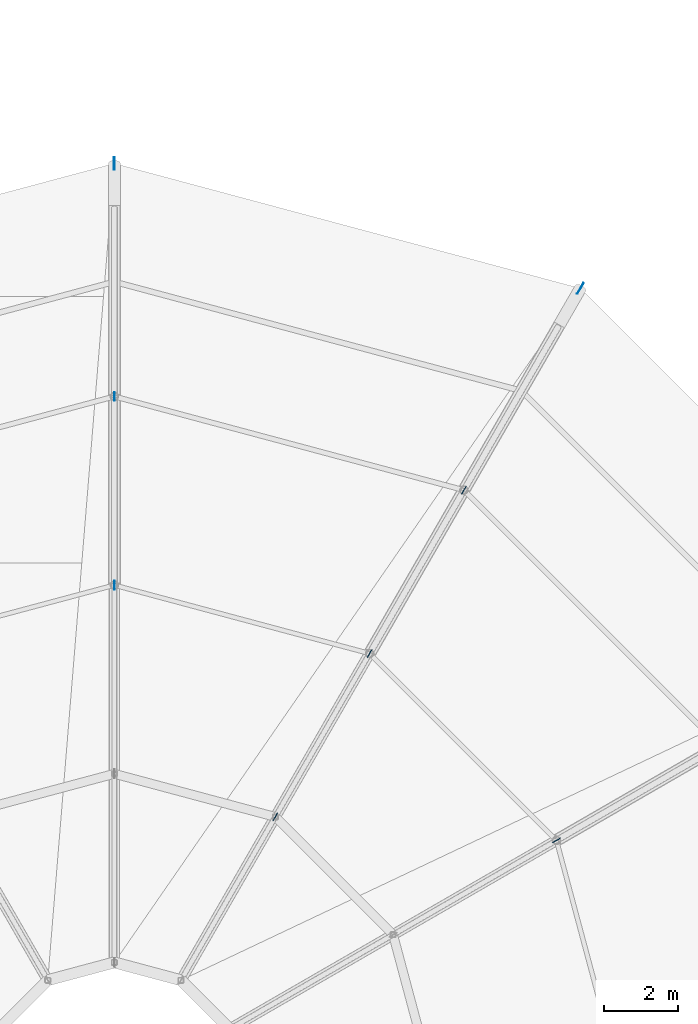
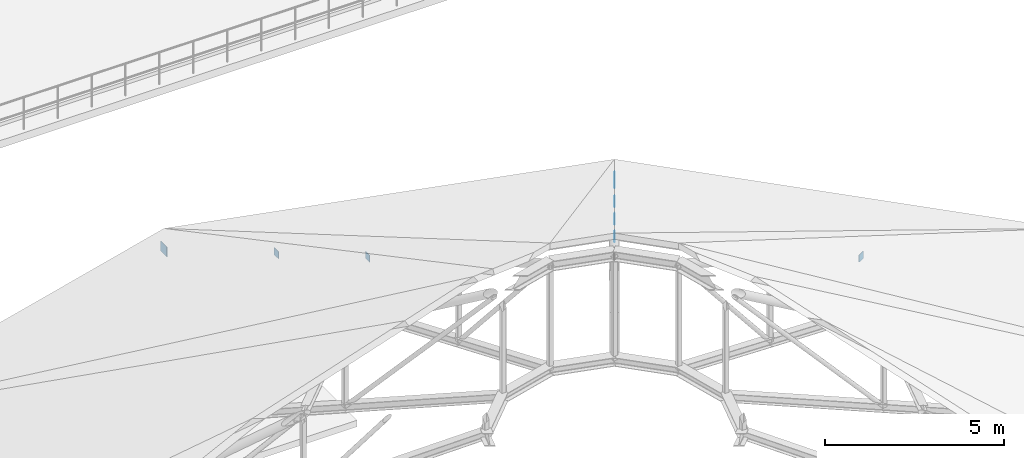
# One storey, part 45 of 58: 8 plates.
"""IFC4 building model written with IfcOpenShell, lengths in metres."""

import ifcopenshell
import ifcopenshell.guid

model = None  # the IFC model being written
_history = None  # IfcOwnerHistory: only IFC2X3 demands one
_inside = {}  # id of a spatial element -> (the spatial element, [elements in it])
_under = {}  # id of a project, library or spatial element -> (it, [spatial elements below it])
_declared = {}  # id of a project -> (the project, [libraries it declares])
_typed = {}  # id of a type object -> (the type object, [elements of that type])
_made_of = {}  # id of a material, layer set ... -> (it, [elements and type objects made of it])


def new_model(schema):
    """Start an empty IFC model of exactly this schema.

    Asked for "IFC4X3", IfcOpenShell would pick the latest addendum, in which some entities
    have other attributes; the version numbers below select the first issue.
    IFC2X3 requires an IfcOwnerHistory on every rooted entity: one is made here for all.
    """
    global model, _history
    if schema == "IFC4X3":
        model = ifcopenshell.file(schema_version=(4, 3, 0, 0))
    else:
        model = ifcopenshell.file(schema=schema)
    _inside.clear()
    _under.clear()
    _declared.clear()
    _typed.clear()
    _made_of.clear()
    _history = None
    if model.schema == "IFC2X3":
        org = make("IfcOrganization", Name="unknown")
        user = make(
            "IfcPersonAndOrganization",
            ThePerson=make("IfcPerson", FamilyName="unknown"),
            TheOrganization=org,
        )
        app = make(
            "IfcApplication",
            ApplicationDeveloper=org,
            Version="unknown",
            ApplicationFullName="unknown",
            ApplicationIdentifier="unknown",
        )
        _history = make(
            "IfcOwnerHistory",
            OwningUser=user,
            OwningApplication=app,
            ChangeAction="ADDED",
            CreationDate=0,
        )
    return model


def make(cls, **values):
    """One entity of the class cls with the attributes given. An attribute that is None is left unset."""
    return model.create_entity(
        cls, **{name: value for name, value in values.items() if value is not None}
    )


def rooted(cls, **values):
    """An entity with a GlobalId (a new one), such as an element, a storey or a relation."""
    return make(cls, GlobalId=ifcopenshell.guid.new(), OwnerHistory=_history, **values)


def si_unit(unit_type, name, prefix=None):
    """IfcSIUnit, for example si_unit("LENGTHUNIT", "METRE", prefix="MILLI")."""
    return make("IfcSIUnit", UnitType=unit_type, Prefix=prefix, Name=name)


def derived_unit(unit_type, elements):
    """IfcDerivedUnit: a product of units, each with its exponent."""
    return make(
        "IfcDerivedUnit",
        Elements=[
            make("IfcDerivedUnitElement", Unit=unit, Exponent=power)
            for unit, power in elements
        ],
        UnitType=unit_type,
    )


def assignment(units):
    """IfcUnitAssignment: the units of a project."""
    return None if units is None else make("IfcUnitAssignment", Units=units)


def point(xyz):
    """IfcCartesianPoint."""
    return None if xyz is None else make("IfcCartesianPoint", Coordinates=xyz)


def direction(xyz):
    """IfcDirection."""
    return None if xyz is None else make("IfcDirection", DirectionRatios=xyz)


def frame(location, z_axis=None, x_axis=None):
    """IfcAxis2Placement3D, a coordinate frame: its origin and axes. An axis left out is left unset."""
    return make(
        "IfcAxis2Placement3D",
        Location=point(location),
        Axis=direction(z_axis),
        RefDirection=direction(x_axis),
    )


def frame_2d(location, x_axis=None):
    """IfcAxis2Placement2D, a coordinate frame in the plane: its origin and x axis."""
    return make(
        "IfcAxis2Placement2D", Location=point(location), RefDirection=direction(x_axis)
    )


def origin():
    """The frame at (0, 0, 0) with its axes left unset."""
    return frame((0.0, 0.0, 0.0))


def origin_2d():
    """The frame at (0, 0) in the plane with its x axis left unset."""
    return frame_2d((0.0, 0.0))


def place(relative_to, where):
    """IfcLocalPlacement: puts the frame where relative to a parent placement (None: the world)."""
    return make(
        "IfcLocalPlacement", PlacementRelTo=relative_to, RelativePlacement=where
    )


def context(
    kind, dimensions, precision=None, world=None, true_north=None, identifier=None
):
    """IfcGeometricRepresentationContext, for example the 3D "Model" context."""
    return make(
        "IfcGeometricRepresentationContext",
        ContextIdentifier=identifier,
        ContextType=kind,
        CoordinateSpaceDimension=dimensions,
        Precision=precision,
        WorldCoordinateSystem=world,
        TrueNorth=true_north,
    )


def subcontext(parent, identifier, kind, view, scale=None):
    """IfcGeometricRepresentationSubContext, for example "Body" below "Model"."""
    return make(
        "IfcGeometricRepresentationSubContext",
        ContextIdentifier=identifier,
        ContextType=kind,
        ParentContext=parent,
        TargetScale=scale,
        TargetView=view,
    )


def project(units=None, contexts=None):
    """IfcProject with its units and contexts."""
    return rooted(
        "IfcProject",
        Name="project",
        RepresentationContexts=contexts,
        UnitsInContext=assignment(units),
    )


def spatial(cls, under=None, at=None, **own):
    """A site, building, storey or space (cls), placed at a placement, below another one or the project."""
    s = rooted(cls, ObjectPlacement=at, **own)
    if under is not None:
        _under.setdefault(under.id(), (under, []))[1].append(s)
    return s


def profile(cls, at=None, kind="AREA", **sizes):
    """A parametric profile (cls). Its sizes go by their IFC names, for example OverallWidth=200.0."""
    return make(cls, ProfileType=kind, Position=at, **sizes)


def rectangle(**sizes):
    """IfcRectangleProfileDef."""
    return profile("IfcRectangleProfileDef", **sizes)


def extrude(swept, where, along, depth):
    """IfcExtrudedAreaSolid: the profile swept, set in the frame where, extruded along a direction by depth."""
    return make(
        "IfcExtrudedAreaSolid",
        SweptArea=swept,
        Position=where,
        ExtrudedDirection=direction(along),
        Depth=depth,
    )


def shape(context_of_items, identifier, shape_type, items):
    """IfcShapeRepresentation: the items that make up one representation, for example the "Body"."""
    return make(
        "IfcShapeRepresentation",
        ContextOfItems=context_of_items,
        RepresentationIdentifier=identifier,
        RepresentationType=shape_type,
        Items=items,
    )


def material(Name=None, Category=None):
    """IfcMaterial."""
    return make("IfcMaterial", Name=Name, Category=Category)


def layer(
    of_material, thickness, ventilated=None, Name=None, Category=None, Priority=None
):
    """IfcMaterialLayer: one layer of a wall or slab, of a material (None: an air gap)."""
    return make(
        "IfcMaterialLayer",
        Material=of_material,
        LayerThickness=thickness,
        IsVentilated=ventilated,
        Name=Name,
        Category=Category,
        Priority=Priority,
    )


def layer_set(layers, Name=None):
    """IfcMaterialLayerSet."""
    return make("IfcMaterialLayerSet", MaterialLayers=layers, LayerSetName=Name)


def made_of(thing, what):
    """Note that an element or type object is made of a material, layer set ...; save() writes the relation."""
    if what is not None:
        _made_of.setdefault(what.id(), (what, []))[1].append(thing)
    return thing


def type_object(cls, material=None, **own):
    """A type object (cls), such as IfcWallType, which elements share."""
    return made_of(rooted(cls, **own), material)


def element(
    cls,
    number,
    at=None,
    inside=None,
    cuts=None,
    type_object=None,
    material=None,
    context=None,
    identifier="Body",
    shape_type=None,
    held_by="IfcProductDefinitionShape",
    body=None,
    shapes=None,
    **own,
):
    """One element of the class cls, such as IfcWall. Its Tag is "e" and its number.

    at: its placement. inside: the storey or other place that contains it. cuts: it is an
    opening in that element (IfcRelVoidsElement). A single representation is given by context,
    identifier, shape_type and body (its items); several are given by shapes. held_by: the class
    of the entity that holds the representations. save() writes the other relations.
    """
    e = rooted(cls, Tag="e%d" % number, ObjectPlacement=at, **own)
    if body is not None:
        shapes = [shape(context, identifier, shape_type, body)]
    if shapes is not None:
        e.Representation = make(held_by, Representations=shapes)
    if inside is not None:
        _inside.setdefault(inside.id(), (inside, []))[1].append(e)
    if cuts is not None:
        rooted(
            "IfcRelVoidsElement", RelatingBuildingElement=cuts, RelatedOpeningElement=e
        )
    if type_object is not None:
        _typed.setdefault(type_object.id(), (type_object, []))[1].append(e)
    return made_of(e, material)


def aggregate(whole, parts):
    """IfcRelAggregates: a whole, such as a stair, and the parts it consists of."""
    return rooted("IfcRelAggregates", RelatingObject=whole, RelatedObjects=parts)


def save(model, path):
    """Write the relations noted so far, then the file.

    IfcRelAggregates (storeys below a building ...), IfcRelContainedInSpatialStructure (elements
    in a storey), IfcRelDefinesByType, IfcRelAssociatesMaterial and IfcRelDeclares: one each for
    every whole, place, type object, material and project.
    """
    for whole, parts in _under.values():
        aggregate(whole, parts)
    for where, things in _inside.values():
        rooted(
            "IfcRelContainedInSpatialStructure",
            RelatedElements=things,
            RelatingStructure=where,
        )
    for kind, things in _typed.values():
        rooted("IfcRelDefinesByType", RelatedObjects=things, RelatingType=kind)
    for what, things in _made_of.values():
        rooted("IfcRelAssociatesMaterial", RelatedObjects=things, RelatingMaterial=what)
    for by, libraries in _declared.values():
        rooted("IfcRelDeclares", RelatingContext=by, RelatedDefinitions=libraries)
    model.write(path)


model = new_model("IFC4")

# Units and contexts
model_context = context("Model", 3, precision=1e-05, world=origin(), true_north=direction((0.0, 1.0)))
body_context = subcontext(model_context, "Body", "Model", "MODEL_VIEW")
ifc_project = project(units=[si_unit("LENGTHUNIT", "METRE"), si_unit("AREAUNIT", "SQUARE_METRE"), si_unit("VOLUMEUNIT", "CUBIC_METRE"), si_unit("PLANEANGLEUNIT", "RADIAN"), si_unit("MASSUNIT", "GRAM", prefix="KILO"), derived_unit("THERMALTRANSMITTANCEUNIT", [(si_unit("POWERUNIT", "WATT"), 1), (si_unit("AREAUNIT", "SQUARE_METRE"), -1), (si_unit("THERMODYNAMICTEMPERATUREUNIT", "KELVIN"), -1)])], contexts=[model_context])

# Site, building, storey
site_placement = place(None, origin())
site = spatial("IfcSite", under=ifc_project, at=site_placement, CompositionType="ELEMENT")
building_placement = place(site_placement, origin())
building = spatial("IfcBuilding", under=site, at=building_placement, Name="Yasenodar Specialist Clinic", CompositionType="ELEMENT")
storey_placement = place(building_placement, frame((0.0, 0.0, 21.300048828125)))
storey = spatial("IfcBuildingStorey", under=building, at=storey_placement, Name="L05", CompositionType="ELEMENT", Elevation=21.300048828125)

# Plates
ifc_material = material(Name="Steel S355", Category="steel")
ifc_layer_1 = layer(ifc_material, 0.02001953125)
ifc_layer_set_1 = layer_set([ifc_layer_1], Name="Steel S355")
plate_type_1 = type_object("IfcPlateType", Name="PL-STEEL-03", PredefinedType="SHEET", material=ifc_layer_set_1)
for number, where, z_axis, x_axis, name in (
    (1, (93.60009765625, 80.623779296875, -0.8701171875), (0.0, 0.0, 1.0), (0.5, 0.866025403784, 0.0), "L05 Hollow Section End-Cap Plate 0053"),
    (2, (81.0, 84.0, -0.8701171875), (0.0, 0.0, 1.0), (0.0, 1.0, 0.0), "L05 Hollow Section End-Cap Plate 0058"),
):
    element("IfcPlate", number, at=place(storey_placement, frame(where, z_axis=z_axis, x_axis=x_axis)), inside=storey, type_object=plate_type_1, Name=name, PredefinedType="SHEET", context=body_context, shape_type="SweptSolid", body=[
        extrude(rectangle(XDim=0.340087890625, YDim=0.02001953125, at=origin_2d()), origin(), (0.0, 0.0, 1.0), 0.340087890625),
    ])
ifc_layer_2 = layer(ifc_material, 0.01611328125)
ifc_layer_set_2 = layer_set([ifc_layer_2], Name="Steel S355")
plate_type_2 = type_object("IfcPlateType", Name="PL-STEEL-05", PredefinedType="USERDEFINED", material=ifc_layer_set_2)
for number, where, z_axis, x_axis, name in (
    (3, (92.951171875, 65.699951171875, 5.830078125), (0.0, 0.0, 1.0), (0.866025403784, 0.5, 0.0), "L05 Hollow Section End-Cap Plate 0050"),
    (4, (90.449951171875, 75.16796875, 2.85498046875), (0.0, 0.0, 1.0), (0.5, 0.866025403784, 0.0), "L05 Hollow Section End-Cap Plate 0054"),
    (5, (87.89990234375, 70.751220703125, 5.830078125), (0.0, 0.0, 1.0), (0.5, 0.866025403784, 0.0), "L05 Hollow Section End-Cap Plate 0055"),
    (6, (85.35009765625, 66.33447265625, 8.80517578125), (0.0, 0.0, 1.0), (0.5, 0.866025403784, 0.0), "L05 Hollow Section End-Cap Plate 0056"),
    (7, (81.0, 77.699951171875, 2.85498046875), (0.0, 0.0, 1.0), (0.0, 1.0, 0.0), "L05 Hollow Section End-Cap Plate 0059"),
    (8, (81.0, 72.60009765625, 5.830078125), (0.0, 0.0, 1.0), (0.0, 1.0, 0.0), "L05 Hollow Section End-Cap Plate 0060"),
):
    element("IfcPlate", number, at=place(storey_placement, frame(where, z_axis=z_axis, x_axis=x_axis)), inside=storey, type_object=plate_type_2, Name=name, ObjectType="CAP_PLATE", PredefinedType="USERDEFINED", context=body_context, shape_type="SweptSolid", body=[
        extrude(rectangle(XDim=0.239990234375, YDim=0.01611328125, at=origin_2d()), origin(), (0.0, 0.0, 1.0), 0.239990234375),
    ])

save(model, "model.ifc")
